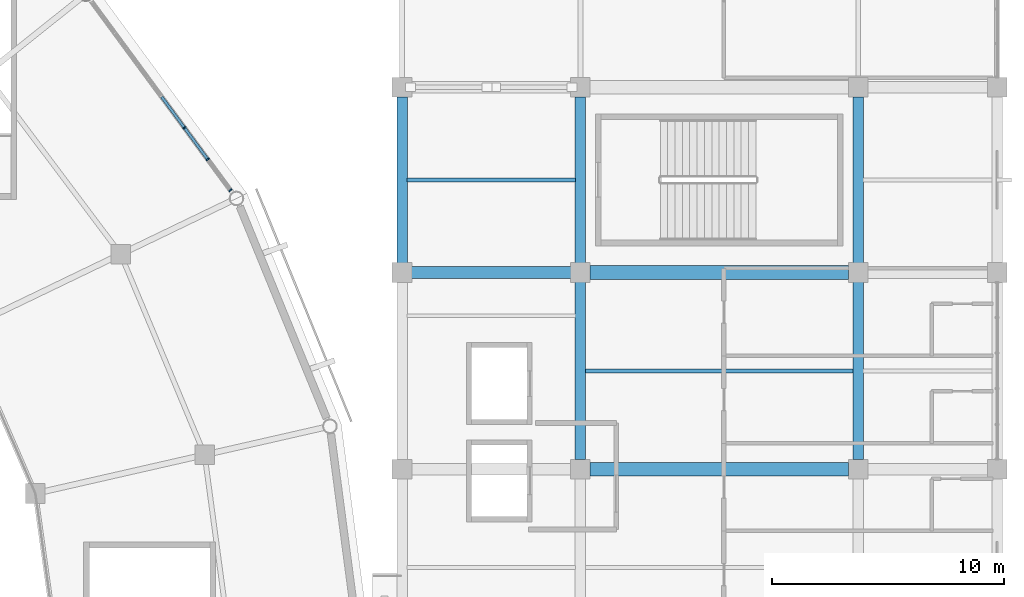
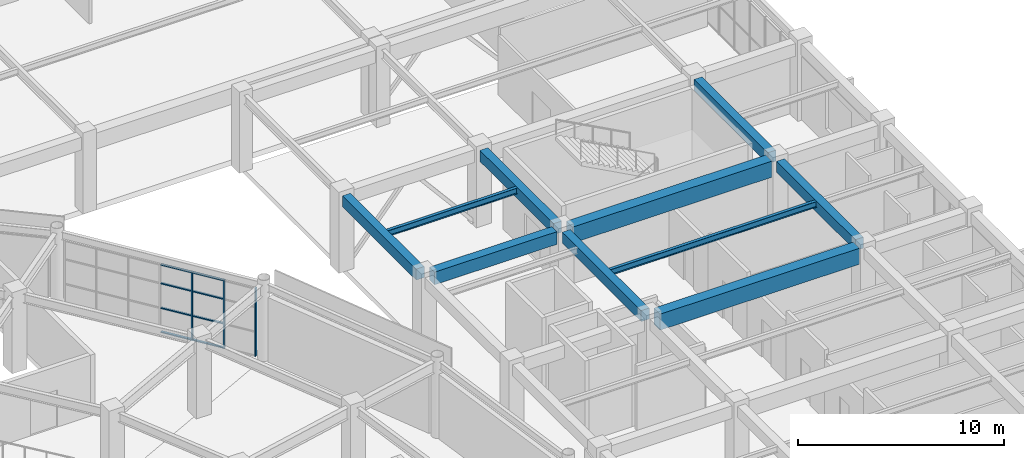
# One storey, part 57 of 112: 11 members, 10 beams, 1 element without a shape of its own.
"""IFC4 building model written with IfcOpenShell, lengths in metres."""

from ifc_helpers import new_model, si_unit, direction, frame, origin, origin_2d, place, context, subcontext, project, spatial, rectangle, i_section, extrude, material, material_profile, profile_set, type_object, element, aggregate, save


model = new_model("IFC4")

# Units and contexts
model_context = context("Model", 3, precision=1e-05, world=origin(), true_north=direction((0.0, 1.0)))
body_context = subcontext(model_context, "Body", "Model", "MODEL_VIEW")
ifc_project = project(units=[si_unit("LENGTHUNIT", "METRE"), si_unit("AREAUNIT", "SQUARE_METRE"), si_unit("VOLUMEUNIT", "CUBIC_METRE"), si_unit("PLANEANGLEUNIT", "RADIAN"), si_unit("MASSUNIT", "GRAM", prefix="KILO")], contexts=[model_context])

# Site, building, storey
site_placement = place(None, origin())
site = spatial("IfcSite", under=ifc_project, at=site_placement, CompositionType="ELEMENT")
building_placement = place(site_placement, origin())
building = spatial("IfcBuilding", under=site, at=building_placement, Name="Cuetzalor Civic Arena", CompositionType="ELEMENT")
storey_placement = place(building_placement, frame((0.0, 0.0, 11.39990234375)))
storey = spatial("IfcBuildingStorey", under=building, at=storey_placement, Name="L02", CompositionType="ELEMENT", Elevation=11.39990234375)

# Beams
ifc_material_1 = material(Name="Concrete C40/50", Category="concrete")
ifc_material_profile_1 = material_profile(ifc_material_1, rectangle(XDim=0.5, YDim=0.75, at=origin_2d()), Name="RC 500x750")
ifc_profile_set_1 = profile_set([ifc_material_profile_1], Name="Concrete C40/50")
beam_type_1 = type_object("IfcBeamType", Name="ConcreteFrameBeam_500x750", PredefinedType="BEAM", material=ifc_profile_set_1)
beam_1_placement = place(storey_placement, frame((56.715087890625, 17.0, 4.14501953125), z_axis=(1.0, 0.0, 0.0), x_axis=(0.0, 1.0, 0.0)))
element("IfcBeam", 1, at=beam_1_placement, inside=storey, type_object=beam_type_1, Name="Frame Girder V4E-L02-X0727", PredefinedType="BEAM", context=body_context, shape_type="SweptSolid", body=[
    extrude(rectangle(XDim=0.5, YDim=0.75, at=origin_2d()), origin(), (0.0, 0.0, 1.0), 6.869873046875),
])
ifc_material_2 = material(Name="Concrete C40/50", Category="concrete")
ifc_material_profile_2 = material_profile(ifc_material_2, rectangle(XDim=0.60009765625, YDim=0.949951171875, at=origin_2d()), Name="RC 600x950")
ifc_profile_set_2 = profile_set([ifc_material_profile_2], Name="Concrete C40/50")
beam_type_2 = type_object("IfcBeamType", Name="ConcreteFrameBeam_600x950", PredefinedType="BEAM", material=ifc_profile_set_2)
for number, where, z_axis, x_axis, name in (
    (2, (64.4150390625, 8.5, 4.045166015625), (1.0, 0.0, 0.0), (0.0, 1.0, 0.0), "Frame Girder V4E-L02-X0725"),
    (3, (64.4150390625, 17.0, 4.045166015625), (1.0, 0.0, 0.0), (0.0, 1.0, 0.0), "Frame Girder V4E-L02-X0728"),
):
    element("IfcBeam", number, at=place(storey_placement, frame(where, z_axis=z_axis, x_axis=x_axis)), inside=storey, type_object=beam_type_2, Name=name, PredefinedType="BEAM", context=body_context, shape_type="SweptSolid", body=[
        extrude(rectangle(XDim=0.60009765625, YDim=0.949951171875, at=origin_2d()), origin(), (0.0, 0.0, 1.0), 11.169921875),
    ])
ifc_material_3 = material(Name="Concrete C40/50", Category="concrete")
ifc_material_profile_3 = material_profile(ifc_material_3, rectangle(XDim=0.449951171875, YDim=0.64990234375, at=origin_2d()), Name="RC 450x650")
ifc_profile_set_3 = profile_set([ifc_material_profile_3], Name="Concrete C40/50")
beam_type_3 = type_object("IfcBeamType", Name="ConcreteTieBeam_450x650", PredefinedType="BEAM", material=ifc_profile_set_3)
beam_2_placement = place(storey_placement, frame((56.300048828125, 17.4150390625, 4.195068359375), z_axis=(0.0, 1.0, 0.0), x_axis=(-1.0, 0.0, 0.0)))
element("IfcBeam", 4, at=beam_2_placement, inside=storey, type_object=beam_type_3, Name="Frame Girder V4E-L02-Y0746", PredefinedType="BEAM", context=body_context, shape_type="SweptSolid", body=[
    extrude(rectangle(XDim=0.449951171875, YDim=0.64990234375, at=origin_2d()), origin(), (0.0, 0.0, 1.0), 7.169921875),
])
beam_3_placement = place(storey_placement, frame((64.0, 8.9150390625, 4.195068359375), z_axis=(0.0, 1.0, 0.0), x_axis=(-1.0, 0.0, 0.0)))
element("IfcBeam", 5, at=beam_3_placement, inside=storey, type_object=beam_type_3, Name="Frame Girder V4E-L02-Y0755", PredefinedType="BEAM", context=body_context, shape_type="SweptSolid", body=[
    extrude(rectangle(XDim=0.449951171875, YDim=0.64990234375, at=origin_2d()), origin(), (0.0, 0.0, 1.0), 7.669921875),
])
beam_4_placement = place(storey_placement, frame((64.0, 17.4150390625, 4.195068359375), z_axis=(0.0, 1.0, 0.0), x_axis=(-1.0, 0.0, 0.0)))
element("IfcBeam", 6, at=beam_4_placement, inside=storey, type_object=beam_type_3, Name="Frame Girder V4E-L02-Y0756", PredefinedType="BEAM", context=body_context, shape_type="SweptSolid", body=[
    extrude(rectangle(XDim=0.449951171875, YDim=0.64990234375, at=origin_2d()), origin(), (0.0, 0.0, 1.0), 7.169921875),
])
beam_5_placement = place(storey_placement, frame((76.0, 8.9150390625, 4.195068359375), z_axis=(0.0, 1.0, 0.0), x_axis=(-1.0, 0.0, 0.0)))
element("IfcBeam", 7, at=beam_5_placement, inside=storey, type_object=beam_type_3, Name="Frame Girder V4E-L02-Y0765", PredefinedType="BEAM", context=body_context, shape_type="SweptSolid", body=[
    extrude(rectangle(XDim=0.449951171875, YDim=0.64990234375, at=origin_2d()), origin(), (0.0, 0.0, 1.0), 7.669921875),
])
beam_6_placement = place(storey_placement, frame((76.0, 17.4150390625, 4.195068359375), z_axis=(0.0, 1.0, 0.0), x_axis=(-1.0, 0.0, 0.0)))
element("IfcBeam", 8, at=beam_6_placement, inside=storey, type_object=beam_type_3, Name="Frame Girder V4E-L02-Y0766", PredefinedType="BEAM", context=body_context, shape_type="SweptSolid", body=[
    extrude(rectangle(XDim=0.449951171875, YDim=0.64990234375, at=origin_2d()), origin(), (0.0, 0.0, 1.0), 7.169921875),
])

# Curtain wall, members
ifc_material_4 = material(Name="Anodised dark bronze aluminium and low-E solar glass", Category="aluminium")
curtain_wall_type = type_object("IfcCurtainWallType", Name="UnitisedCW_10150x4050", PredefinedType="USERDEFINED", material=ifc_material_4)
curtain_wall_placement = place(storey_placement, origin())
curtain_wall = element("IfcCurtainWall", 9, at=curtain_wall_placement, inside=storey, type_object=curtain_wall_type, Name="Drum Triangle Foyer Curtain Wall L02-033", ObjectType="UNITISED CURTAIN WALL", PredefinedType="USERDEFINED")
ifc_material_5 = material(Name="Anodised dark bronze aluminium", Category="aluminium")
ifc_material_profile_4 = material_profile(ifc_material_5, rectangle(XDim=0.06494140625, YDim=0.14990234375, at=origin_2d()), Name="ALU MULLION 65x150")
ifc_profile_set_4 = profile_set([ifc_material_profile_4], Name="Anodised dark bronze aluminium")
member_type_1 = type_object("IfcMemberType", Name="CurtainWallMullion_60x150", PredefinedType="MULLION", material=ifc_profile_set_4)
member_1_placement = place(storey_placement, frame((46.90087890625, 23.2490234375, 0.0), z_axis=(0.0, 0.0, 1.0), x_axis=(0.59292931222, -0.805254513002, 0.0)))
member_1 = element("IfcMember", 10, at=member_1_placement, type_object=member_type_1, Name="CW-12 mullion 5", PredefinedType="MULLION", context=body_context, shape_type="SweptSolid", body=[
    extrude(rectangle(XDim=0.06494140625, YDim=0.14990234375, at=origin_2d()), origin(), (0.0, 0.0, 1.0), 4.052978515625),
])
member_2_placement = place(storey_placement, frame((47.9033203125, 21.8876953125, 0.0), z_axis=(0.0, 0.0, 1.0), x_axis=(0.59292931222, -0.805254513002, 0.0)))
member_2 = element("IfcMember", 11, at=member_2_placement, type_object=member_type_1, Name="CW-12 mullion 6", PredefinedType="MULLION", context=body_context, shape_type="SweptSolid", body=[
    extrude(rectangle(XDim=0.06494140625, YDim=0.14990234375, at=origin_2d()), origin(), (0.0, 0.0, 1.0), 4.052978515625),
])
member_3_placement = place(storey_placement, frame((48.886474609375, 20.552490234375, 0.0), z_axis=(0.0, 0.0, 1.0), x_axis=(0.59292931222, -0.805254513002, 0.0)))
member_3 = element("IfcMember", 12, at=member_3_placement, type_object=member_type_1, Name="CW-12 mullion 7", PredefinedType="MULLION", context=body_context, shape_type="SweptSolid", body=[
    extrude(rectangle(XDim=0.06494140625, YDim=0.14990234375, at=origin_2d()), origin(), (0.0, 0.0, 1.0), 4.052978515625),
])
ifc_material_6 = material(Name="Anodised dark bronze aluminium", Category="aluminium")
ifc_material_profile_5 = material_profile(ifc_material_6, rectangle(XDim=0.1201171875, YDim=0.06494140625, at=origin_2d()), Name="ALU TRANSOM 65x120")
ifc_profile_set_5 = profile_set([ifc_material_profile_5], Name="Anodised dark bronze aluminium")
member_type_2 = type_object("IfcMemberType", Name="CurtainWallTransom_60x120", PredefinedType="USERDEFINED", material=ifc_profile_set_5)
member_4_placement = place(storey_placement, frame((45.917724609375, 24.584228515625, 0.03271484375), z_axis=(0.592912120819, -0.805267171183, 0.0), x_axis=(0.805267171183, 0.592912120819, 0.0)))
member_4 = element("IfcMember", 13, at=member_4_placement, type_object=member_type_2, Name="CW-12 transom 4.1", ObjectType="TRANSOM", PredefinedType="USERDEFINED", context=body_context, shape_type="SweptSolid", body=[
    extrude(rectangle(XDim=0.1201171875, YDim=0.06494140625, at=origin_2d()), origin(), (0.0, 0.0, 1.0), 1.625732421875),
])
member_5_placement = place(storey_placement, frame((45.917724609375, 24.584228515625, 1.458984375), z_axis=(0.592912120819, -0.805267171183, 0.0), x_axis=(0.805267171183, 0.592912120819, 0.0)))
member_5 = element("IfcMember", 14, at=member_5_placement, type_object=member_type_2, Name="CW-12 transom 4.2", ObjectType="TRANSOM", PredefinedType="USERDEFINED", context=body_context, shape_type="SweptSolid", body=[
    extrude(rectangle(XDim=0.1201171875, YDim=0.06494140625, at=origin_2d()), origin(), (0.0, 0.0, 1.0), 1.625732421875),
])
member_6_placement = place(storey_placement, frame((45.917724609375, 24.584228515625, 2.918212890625), z_axis=(0.592912120819, -0.805267171183, 0.0), x_axis=(0.805267171183, 0.592912120819, 0.0)))
member_6 = element("IfcMember", 15, at=member_6_placement, type_object=member_type_2, Name="CW-12 transom 4.3", ObjectType="TRANSOM", PredefinedType="USERDEFINED", context=body_context, shape_type="SweptSolid", body=[
    extrude(rectangle(XDim=0.1201171875, YDim=0.06494140625, at=origin_2d()), origin(), (0.0, 0.0, 1.0), 1.625732421875),
])
member_7_placement = place(storey_placement, frame((45.917724609375, 24.584228515625, 4.0205078125), z_axis=(0.592912120819, -0.805267171183, 0.0), x_axis=(0.805267171183, 0.592912120819, 0.0)))
member_7 = element("IfcMember", 16, at=member_7_placement, type_object=member_type_2, Name="CW-12 transom 4.4", ObjectType="TRANSOM", PredefinedType="USERDEFINED", context=body_context, shape_type="SweptSolid", body=[
    extrude(rectangle(XDim=0.1201171875, YDim=0.06494140625, at=origin_2d()), origin(), (0.0, 0.0, 1.0), 1.625732421875),
])
member_8_placement = place(storey_placement, frame((46.920166015625, 23.222900390625, 0.03271484375), z_axis=(0.592912120819, -0.805267171183, 0.0), x_axis=(0.805267171183, 0.592912120819, 0.0)))
member_8 = element("IfcMember", 17, at=member_8_placement, type_object=member_type_2, Name="CW-12 transom 5.1", ObjectType="TRANSOM", PredefinedType="USERDEFINED", context=body_context, shape_type="SweptSolid", body=[
    extrude(rectangle(XDim=0.1201171875, YDim=0.06494140625, at=origin_2d()), origin(), (0.0, 0.0, 1.0), 1.625732421875),
])
member_9_placement = place(storey_placement, frame((46.920166015625, 23.222900390625, 1.458984375), z_axis=(0.592912120819, -0.805267171183, 0.0), x_axis=(0.805267171183, 0.592912120819, 0.0)))
member_9 = element("IfcMember", 18, at=member_9_placement, type_object=member_type_2, Name="CW-12 transom 5.2", ObjectType="TRANSOM", PredefinedType="USERDEFINED", context=body_context, shape_type="SweptSolid", body=[
    extrude(rectangle(XDim=0.1201171875, YDim=0.06494140625, at=origin_2d()), origin(), (0.0, 0.0, 1.0), 1.625732421875),
])
member_10_placement = place(storey_placement, frame((46.920166015625, 23.222900390625, 2.918212890625), z_axis=(0.592912120819, -0.805267171183, 0.0), x_axis=(0.805267171183, 0.592912120819, 0.0)))
member_10 = element("IfcMember", 19, at=member_10_placement, type_object=member_type_2, Name="CW-12 transom 5.3", ObjectType="TRANSOM", PredefinedType="USERDEFINED", context=body_context, shape_type="SweptSolid", body=[
    extrude(rectangle(XDim=0.1201171875, YDim=0.06494140625, at=origin_2d()), origin(), (0.0, 0.0, 1.0), 1.625732421875),
])
member_11_placement = place(storey_placement, frame((46.920166015625, 23.222900390625, 4.0205078125), z_axis=(0.592912120819, -0.805267171183, 0.0), x_axis=(0.805267171183, 0.592912120819, 0.0)))
member_11 = element("IfcMember", 20, at=member_11_placement, type_object=member_type_2, Name="CW-12 transom 5.4", ObjectType="TRANSOM", PredefinedType="USERDEFINED", context=body_context, shape_type="SweptSolid", body=[
    extrude(rectangle(XDim=0.1201171875, YDim=0.06494140625, at=origin_2d()), origin(), (0.0, 0.0, 1.0), 1.625732421875),
])
aggregate(curtain_wall, [member_1, member_2, member_3, member_4, member_5, member_6, member_7, member_8, member_9, member_10, member_11])

# Beams
ifc_material_7 = material(Name="Steel S355", Category="steel")
ifc_material_profile_6 = material_profile(ifc_material_7, i_section(OverallWidth=0.1708984375, OverallDepth=0.35498046875, WebThickness=0.007080078125, FlangeThickness=0.01171875, at=origin_2d()), Name="W360x51")
ifc_profile_set_6 = profile_set([ifc_material_profile_6], Name="Steel S355")
beam_type_4 = type_object("IfcBeamType", Name="SecondaryFloorJoist_W360", PredefinedType="JOIST", material=ifc_profile_set_6)
beam_7_placement = place(storey_placement, frame((56.51708984375, 21.0, 4.342529296875), z_axis=(1.0, 0.0, 0.0), x_axis=(0.0, 1.0, 0.0)))
element("IfcBeam", 21, at=beam_7_placement, inside=storey, type_object=beam_type_4, Name="Secondary Floor Joist V4E-L02-0226", PredefinedType="JOIST", context=body_context, shape_type="SweptSolid", body=[
    extrude(i_section(OverallWidth=0.1708984375, OverallDepth=0.35498046875, WebThickness=0.007080078125, FlangeThickness=0.01171875, at=origin_2d()), origin(), (0.0, 0.0, 1.0), 7.265869140625),
])
beam_8_placement = place(storey_placement, frame((64.217041015625, 12.75, 4.342529296875), z_axis=(1.0, 0.0, 0.0), x_axis=(0.0, 1.0, 0.0)))
element("IfcBeam", 22, at=beam_8_placement, inside=storey, type_object=beam_type_4, Name="Secondary Floor Joist V4E-L02-0233", PredefinedType="JOIST", context=body_context, shape_type="SweptSolid", body=[
    extrude(i_section(OverallWidth=0.1708984375, OverallDepth=0.35498046875, WebThickness=0.007080078125, FlangeThickness=0.01171875, at=origin_2d()), origin(), (0.0, 0.0, 1.0), 11.56591796875),
])

save(model, "model.ifc")
